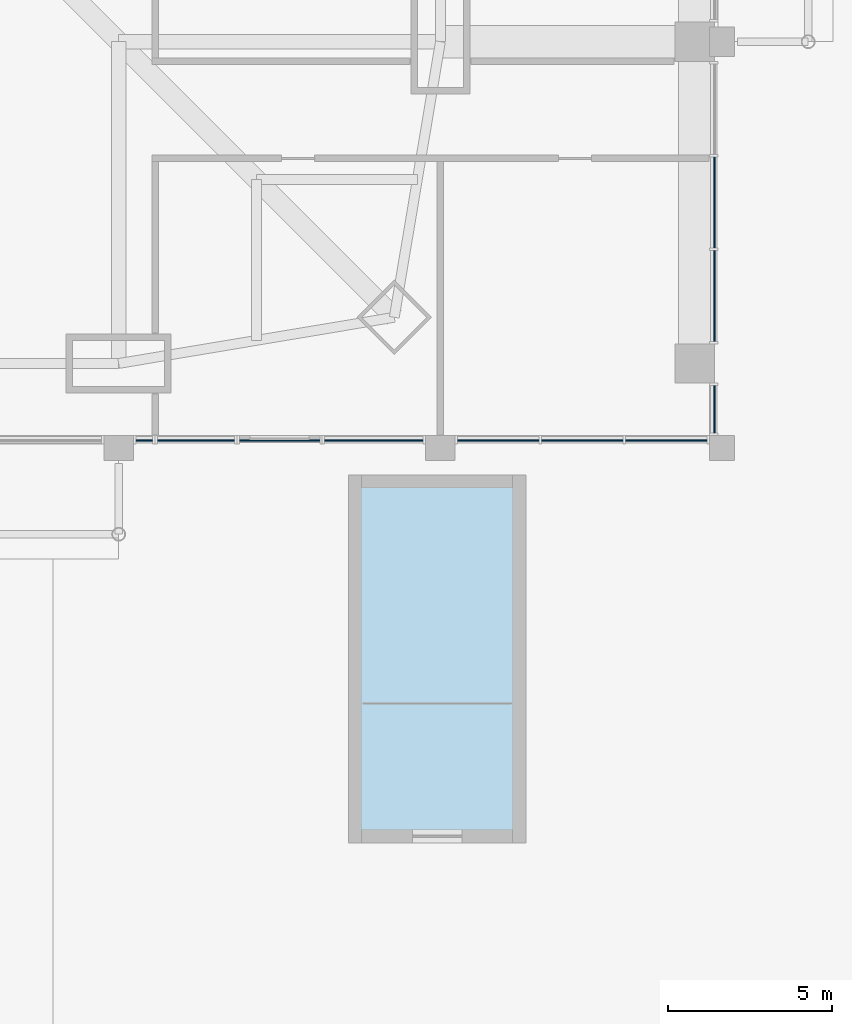
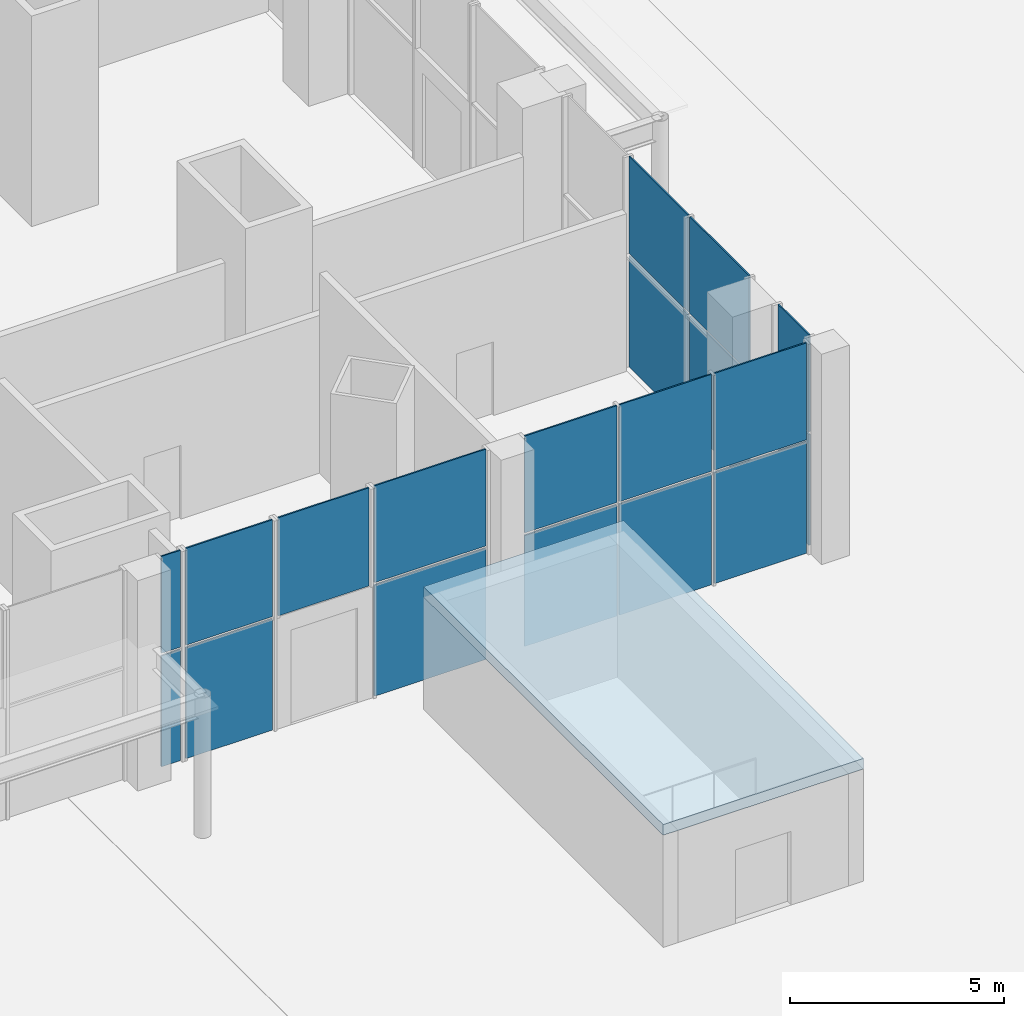
# One storey, part 19 of 31: 19 plates, 1 slab, 7 elements without a shape of their own.
"""IFC4 building model written with IfcOpenShell, lengths in metres."""

from ifc_helpers import new_model, si_unit, direction, frame, origin, origin_2d, place, context, subcontext, project, spatial, polyline, rectangle, outline, extrude, material, layer, layer_set, type_object, element, aggregate, save


model = new_model("IFC4")

# Units and contexts
model_context = context("Model", 3, precision=1e-05, world=origin(), true_north=direction((0.0, 1.0)))
body_context = subcontext(model_context, "Body", "Model", "MODEL_VIEW")
ifc_project = project(units=[si_unit("LENGTHUNIT", "METRE"), si_unit("AREAUNIT", "SQUARE_METRE"), si_unit("VOLUMEUNIT", "CUBIC_METRE"), si_unit("PLANEANGLEUNIT", "RADIAN"), si_unit("MASSUNIT", "GRAM", prefix="KILO")], contexts=[model_context])

# Site, building, storey
site_placement = place(None, origin())
site = spatial("IfcSite", under=ifc_project, at=site_placement, CompositionType="ELEMENT")
building_placement = place(site_placement, origin())
building = spatial("IfcBuilding", under=site, at=building_placement, Name="Khuree Lantern Residences", CompositionType="ELEMENT")
storey_placement = place(building_placement, origin())
storey = spatial("IfcBuildingStorey", under=building, at=storey_placement, Name="L00", CompositionType="ELEMENT", Elevation=0.0)

# Slab
ifc_material_1 = material(Name="Concrete C40/50", Category="concrete")
ifc_layer_1 = layer(ifc_material_1, 0.300048828125)
ifc_layer_set_1 = layer_set([ifc_layer_1], Name="KIOSK ROOF KR300")
slab_type = type_object("IfcSlabType", Name="KIOSK ROOF KR300", PredefinedType="ROOF", material=ifc_layer_set_1)
slab_placement = place(storey_placement, frame((0.0, 0.0, 3.199951171875)))
element("IfcSlab", 1, at=slab_placement, inside=storey, type_object=slab_type, Name="Stair ST6 kiosk roof", PredefinedType="ROOF", context=body_context, shape_type="SweptSolid", body=[
    extrude(outline(polyline([(27.0, -44.39990234375), (32.39990234375, -44.39990234375), (32.39990234375, -33.199951171875), (27.0, -33.199951171875), (27.0, -44.39990234375)])), origin(), (0.0, 0.0, 1.0), 0.300048828125),
])

# Curtain wall, plates
ifc_material_2 = material(Name="Bronze anodised aluminium", Category="aluminium")
curtain_wall_type = type_object("IfcCurtainWallType", Name="CW-P PODIUM STOREFRONT CURTAIN WALL", PredefinedType="USERDEFINED", material=ifc_material_2)
curtain_wall_1_placement = place(storey_placement, origin())
curtain_wall_1 = element("IfcCurtainWall", 2, at=curtain_wall_1_placement, inside=storey, type_object=curtain_wall_type, Name="L00 SOUTH FACE BAY 7 LEFT 1 STOREFRONT", ObjectType="Storefront curtain wall", PredefinedType="USERDEFINED")
ifc_material_3 = material(Name="Bronze tinted laminated triple glazing", Category="glass")
ifc_layer_2 = layer(ifc_material_3, 0.0400390625)
ifc_layer_set_2 = layer_set([ifc_layer_2], Name="STOREFRONT GLASS PANEL P9")
plate_type = type_object("IfcPlateType", Name="STOREFRONT GLASS PANEL P9", PredefinedType="CURTAIN_PANEL", material=ifc_layer_set_2)
plate_1_placement = place(storey_placement, frame((20.780517578125, -32.14990234375, 0.0), z_axis=(0.0, 0.0, 1.0), x_axis=(1.0, 0.0, 0.0)))
plate_1 = element("IfcPlate", 3, at=plate_1_placement, type_object=plate_type, Name="L00 SOUTH FACE BAY 7 LEFT 1 PANEL 1.1", PredefinedType="CURTAIN_PANEL", context=body_context, shape_type="SweptSolid", body=[
    extrude(rectangle(XDim=0.51123046875, YDim=0.0400390625, at=origin_2d()), origin(), (0.0, 0.0, 1.0), 3.16259765625),
])
plate_2_placement = place(storey_placement, frame((20.780517578125, -32.14990234375, 3.2373046875), z_axis=(0.0, 0.0, 1.0), x_axis=(1.0, 0.0, 0.0)))
plate_2 = element("IfcPlate", 4, at=plate_2_placement, type_object=plate_type, Name="L00 SOUTH FACE BAY 7 LEFT 1 PANEL 1.2", PredefinedType="CURTAIN_PANEL", context=body_context, shape_type="SweptSolid", body=[
    extrude(rectangle(XDim=0.51123046875, YDim=0.0400390625, at=origin_2d()), origin(), (0.0, 0.0, 1.0), 2.762451171875),
])
aggregate(curtain_wall_1, [plate_1, plate_2])

curtain_wall_2_placement = place(storey_placement, origin())
curtain_wall_2 = element("IfcCurtainWall", 5, at=curtain_wall_2_placement, inside=storey, type_object=curtain_wall_type, Name="L00 SOUTH FACE BAY 7 LEFT 2 STOREFRONT", ObjectType="Storefront curtain wall", PredefinedType="USERDEFINED")
plate_3_placement = place(storey_placement, frame((22.35546875, -32.14990234375, 0.0), z_axis=(0.0, 0.0, 1.0), x_axis=(1.0, 0.0, 0.0)))
plate_3 = element("IfcPlate", 6, at=plate_3_placement, type_object=plate_type, Name="L00 SOUTH FACE BAY 7 LEFT 2 PANEL 1.1", PredefinedType="CURTAIN_PANEL", context=body_context, shape_type="SweptSolid", body=[
    extrude(rectangle(XDim=2.3388671875, YDim=0.0400390625, at=origin_2d()), origin(), (0.0, 0.0, 1.0), 3.16259765625),
])
plate_4_placement = place(storey_placement, frame((22.35546875, -32.14990234375, 3.2373046875), z_axis=(0.0, 0.0, 1.0), x_axis=(1.0, 0.0, 0.0)))
plate_4 = element("IfcPlate", 7, at=plate_4_placement, type_object=plate_type, Name="L00 SOUTH FACE BAY 7 LEFT 2 PANEL 1.2", PredefinedType="CURTAIN_PANEL", context=body_context, shape_type="SweptSolid", body=[
    extrude(rectangle(XDim=2.3388671875, YDim=0.0400390625, at=origin_2d()), origin(), (0.0, 0.0, 1.0), 2.762451171875),
])
aggregate(curtain_wall_2, [plate_3, plate_4])

curtain_wall_3_placement = place(storey_placement, origin())
curtain_wall_3 = element("IfcCurtainWall", 8, at=curtain_wall_3_placement, inside=storey, type_object=curtain_wall_type, Name="L00 SOUTH FACE BAY 7 RIGHT STOREFRONT", ObjectType="Storefront curtain wall", PredefinedType="USERDEFINED")
plate_5_placement = place(storey_placement, frame((27.77490234375, -32.14990234375, 0.0), z_axis=(0.0, 0.0, 1.0), x_axis=(1.0, 0.0, 0.0)))
plate_5 = element("IfcPlate", 9, at=plate_5_placement, type_object=plate_type, Name="L00 SOUTH FACE BAY 7 RIGHT PANEL 1.1", PredefinedType="CURTAIN_PANEL", context=body_context, shape_type="SweptSolid", body=[
    extrude(rectangle(XDim=3.0, YDim=0.0400390625, at=origin_2d()), origin(), (0.0, 0.0, 1.0), 3.16259765625),
])
plate_6_placement = place(storey_placement, frame((27.77490234375, -32.14990234375, 3.2373046875), z_axis=(0.0, 0.0, 1.0), x_axis=(1.0, 0.0, 0.0)))
plate_6 = element("IfcPlate", 10, at=plate_6_placement, type_object=plate_type, Name="L00 SOUTH FACE BAY 7 RIGHT PANEL 1.2", PredefinedType="CURTAIN_PANEL", context=body_context, shape_type="SweptSolid", body=[
    extrude(rectangle(XDim=3.0, YDim=0.0400390625, at=origin_2d()), origin(), (0.0, 0.0, 1.0), 2.762451171875),
])
aggregate(curtain_wall_3, [plate_5, plate_6])

# Curtain wall, plate
curtain_wall_4_placement = place(storey_placement, origin())
curtain_wall_4 = element("IfcCurtainWall", 11, at=curtain_wall_4_placement, inside=storey, type_object=curtain_wall_type, Name="L00 SOUTH FACE BAY 7 CLERESTORY STOREFRONT", ObjectType="Storefront curtain wall", PredefinedType="USERDEFINED")
plate_7_placement = place(storey_placement, frame((24.89990234375, -32.14990234375, 3.2001953125), z_axis=(0.0, 0.0, 1.0), x_axis=(1.0, 0.0, 0.0)))
plate_7 = element("IfcPlate", 12, at=plate_7_placement, type_object=plate_type, Name="L00 SOUTH FACE BAY 7 CLERESTORY PANEL 1.1", PredefinedType="CURTAIN_PANEL", context=body_context, shape_type="SweptSolid", body=[
    extrude(rectangle(XDim=2.449951171875, YDim=0.0400390625, at=origin_2d()), origin(), (0.0, 0.0, 1.0), 2.800048828125),
])
aggregate(curtain_wall_4, [plate_7])

# Curtain wall, plates
curtain_wall_5_placement = place(storey_placement, origin())
curtain_wall_5 = element("IfcCurtainWall", 13, at=curtain_wall_5_placement, inside=storey, type_object=curtain_wall_type, Name="L00 SOUTH FACE BAY 8 STOREFRONT", ObjectType="Storefront curtain wall", PredefinedType="USERDEFINED")
plate_8_placement = place(storey_placement, frame((31.566650390625, -32.14990234375, 0.0), z_axis=(0.0, 0.0, 1.0), x_axis=(1.0, 0.0, 0.0)))
plate_8 = element("IfcPlate", 14, at=plate_8_placement, type_object=plate_type, Name="L00 SOUTH FACE BAY 8 PANEL 1.1", PredefinedType="CURTAIN_PANEL", context=body_context, shape_type="SweptSolid", body=[
    extrude(rectangle(XDim=2.4833984375, YDim=0.0400390625, at=origin_2d()), origin(), (0.0, 0.0, 1.0), 3.16259765625),
])
plate_9_placement = place(storey_placement, frame((31.566650390625, -32.14990234375, 3.2373046875), z_axis=(0.0, 0.0, 1.0), x_axis=(1.0, 0.0, 0.0)))
plate_9 = element("IfcPlate", 15, at=plate_9_placement, type_object=plate_type, Name="L00 SOUTH FACE BAY 8 PANEL 1.2", PredefinedType="CURTAIN_PANEL", context=body_context, shape_type="SweptSolid", body=[
    extrude(rectangle(XDim=2.4833984375, YDim=0.0400390625, at=origin_2d()), origin(), (0.0, 0.0, 1.0), 2.762451171875),
])
plate_10_placement = place(storey_placement, frame((34.125, -32.14990234375, 0.0), z_axis=(0.0, 0.0, 1.0), x_axis=(1.0, 0.0, 0.0)))
plate_10 = element("IfcPlate", 16, at=plate_10_placement, type_object=plate_type, Name="L00 SOUTH FACE BAY 8 PANEL 2.1", PredefinedType="CURTAIN_PANEL", context=body_context, shape_type="SweptSolid", body=[
    extrude(rectangle(XDim=2.4833984375, YDim=0.0400390625, at=origin_2d()), origin(), (0.0, 0.0, 1.0), 3.16259765625),
])
plate_11_placement = place(storey_placement, frame((34.125, -32.14990234375, 3.2373046875), z_axis=(0.0, 0.0, 1.0), x_axis=(1.0, 0.0, 0.0)))
plate_11 = element("IfcPlate", 17, at=plate_11_placement, type_object=plate_type, Name="L00 SOUTH FACE BAY 8 PANEL 2.2", PredefinedType="CURTAIN_PANEL", context=body_context, shape_type="SweptSolid", body=[
    extrude(rectangle(XDim=2.4833984375, YDim=0.0400390625, at=origin_2d()), origin(), (0.0, 0.0, 1.0), 2.762451171875),
])
plate_12_placement = place(storey_placement, frame((36.683349609375, -32.14990234375, 0.0), z_axis=(0.0, 0.0, 1.0), x_axis=(1.0, 0.0, 0.0)))
plate_12 = element("IfcPlate", 18, at=plate_12_placement, type_object=plate_type, Name="L00 SOUTH FACE BAY 8 PANEL 3.1", PredefinedType="CURTAIN_PANEL", context=body_context, shape_type="SweptSolid", body=[
    extrude(rectangle(XDim=2.4833984375, YDim=0.0400390625, at=origin_2d()), origin(), (0.0, 0.0, 1.0), 3.16259765625),
])
plate_13_placement = place(storey_placement, frame((36.683349609375, -32.14990234375, 3.2373046875), z_axis=(0.0, 0.0, 1.0), x_axis=(1.0, 0.0, 0.0)))
plate_13 = element("IfcPlate", 19, at=plate_13_placement, type_object=plate_type, Name="L00 SOUTH FACE BAY 8 PANEL 3.2", PredefinedType="CURTAIN_PANEL", context=body_context, shape_type="SweptSolid", body=[
    extrude(rectangle(XDim=2.4833984375, YDim=0.0400390625, at=origin_2d()), origin(), (0.0, 0.0, 1.0), 2.762451171875),
])
aggregate(curtain_wall_5, [plate_8, plate_9, plate_10, plate_11, plate_12, plate_13])

curtain_wall_6_placement = place(storey_placement, origin())
curtain_wall_6 = element("IfcCurtainWall", 20, at=curtain_wall_6_placement, inside=storey, type_object=curtain_wall_type, Name="L00 EAST FACE BAY 1 STOREFRONT", ObjectType="Storefront curtain wall", PredefinedType="USERDEFINED")
plate_14_placement = place(storey_placement, frame((38.14990234375, -31.199951171875, 0.0), z_axis=(0.0, 0.0, 1.0), x_axis=(0.0, 1.0, 0.0)))
plate_14 = element("IfcPlate", 21, at=plate_14_placement, type_object=plate_type, Name="L00 EAST FACE BAY 1 PANEL 1.1", PredefinedType="CURTAIN_PANEL", context=body_context, shape_type="SweptSolid", body=[
    extrude(rectangle(XDim=1.449951171875, YDim=0.0400390625, at=origin_2d()), origin(), (0.0, 0.0, 1.0), 3.16259765625),
])
plate_15_placement = place(storey_placement, frame((38.14990234375, -31.199951171875, 3.2373046875), z_axis=(0.0, 0.0, 1.0), x_axis=(0.0, 1.0, 0.0)))
plate_15 = element("IfcPlate", 22, at=plate_15_placement, type_object=plate_type, Name="L00 EAST FACE BAY 1 PANEL 1.2", PredefinedType="CURTAIN_PANEL", context=body_context, shape_type="SweptSolid", body=[
    extrude(rectangle(XDim=1.449951171875, YDim=0.0400390625, at=origin_2d()), origin(), (0.0, 0.0, 1.0), 2.762451171875),
])
aggregate(curtain_wall_6, [plate_14, plate_15])

curtain_wall_7_placement = place(storey_placement, origin())
curtain_wall_7 = element("IfcCurtainWall", 23, at=curtain_wall_7_placement, inside=storey, type_object=curtain_wall_type, Name="L00 EAST FACE BAY 1B STOREFRONT", ObjectType="Storefront curtain wall", PredefinedType="USERDEFINED")
plate_16_placement = place(storey_placement, frame((38.14990234375, -27.74169921875, 0.0), z_axis=(0.0, 0.0, 1.0), x_axis=(0.0, 1.0, 0.0)))
plate_16 = element("IfcPlate", 24, at=plate_16_placement, type_object=plate_type, Name="L00 EAST FACE BAY 1B PANEL 1.1", PredefinedType="CURTAIN_PANEL", context=body_context, shape_type="SweptSolid", body=[
    extrude(rectangle(XDim=2.7666015625, YDim=0.0400390625, at=origin_2d()), origin(), (0.0, 0.0, 1.0), 3.16259765625),
])
plate_17_placement = place(storey_placement, frame((38.14990234375, -27.74169921875, 3.2373046875), z_axis=(0.0, 0.0, 1.0), x_axis=(0.0, 1.0, 0.0)))
plate_17 = element("IfcPlate", 25, at=plate_17_placement, type_object=plate_type, Name="L00 EAST FACE BAY 1B PANEL 1.2", PredefinedType="CURTAIN_PANEL", context=body_context, shape_type="SweptSolid", body=[
    extrude(rectangle(XDim=2.7666015625, YDim=0.0400390625, at=origin_2d()), origin(), (0.0, 0.0, 1.0), 2.762451171875),
])
plate_18_placement = place(storey_placement, frame((38.14990234375, -24.89990234375, 0.0), z_axis=(0.0, 0.0, 1.0), x_axis=(0.0, 1.0, 0.0)))
plate_18 = element("IfcPlate", 26, at=plate_18_placement, type_object=plate_type, Name="L00 EAST FACE BAY 1B PANEL 2.1", PredefinedType="CURTAIN_PANEL", context=body_context, shape_type="SweptSolid", body=[
    extrude(rectangle(XDim=2.7666015625, YDim=0.0400390625, at=origin_2d()), origin(), (0.0, 0.0, 1.0), 3.16259765625),
])
plate_19_placement = place(storey_placement, frame((38.14990234375, -24.89990234375, 3.2373046875), z_axis=(0.0, 0.0, 1.0), x_axis=(0.0, 1.0, 0.0)))
plate_19 = element("IfcPlate", 27, at=plate_19_placement, type_object=plate_type, Name="L00 EAST FACE BAY 1B PANEL 2.2", PredefinedType="CURTAIN_PANEL", context=body_context, shape_type="SweptSolid", body=[
    extrude(rectangle(XDim=2.7666015625, YDim=0.0400390625, at=origin_2d()), origin(), (0.0, 0.0, 1.0), 2.762451171875),
])
aggregate(curtain_wall_7, [plate_16, plate_17, plate_18, plate_19])

save(model, "model.ifc")
